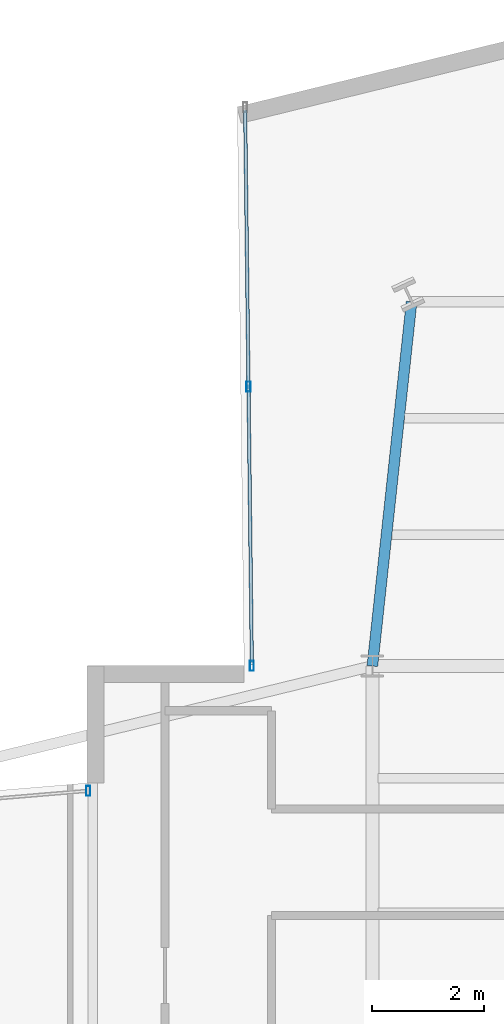
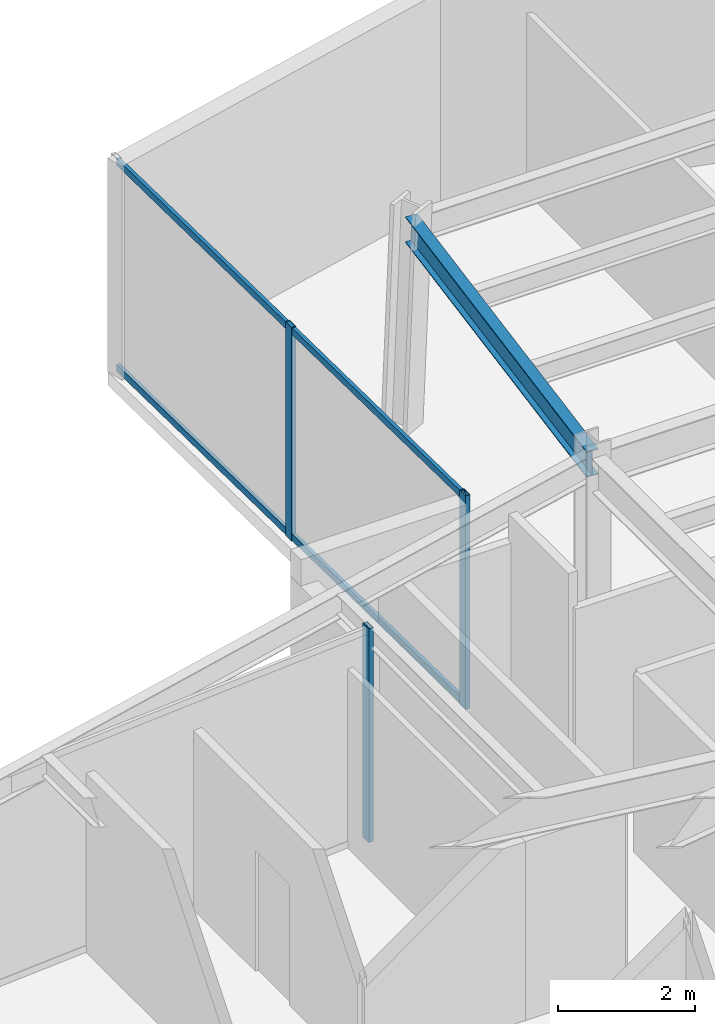
# One storey, part 10 of 25: 5 members, 1 beam, 2 elements without a shape of their own.
"""IFC4 building model written with IfcOpenShell, lengths in metres."""

import ifcopenshell
import ifcopenshell.guid

model = None  # the IFC model being written
_history = None  # IfcOwnerHistory: only IFC2X3 demands one
_inside = {}  # id of a spatial element -> (the spatial element, [elements in it])
_under = {}  # id of a project, library or spatial element -> (it, [spatial elements below it])
_declared = {}  # id of a project -> (the project, [libraries it declares])
_typed = {}  # id of a type object -> (the type object, [elements of that type])
_made_of = {}  # id of a material, layer set ... -> (it, [elements and type objects made of it])


def new_model(schema):
    """Start an empty IFC model of exactly this schema.

    Asked for "IFC4X3", IfcOpenShell would pick the latest addendum, in which some entities
    have other attributes; the version numbers below select the first issue.
    IFC2X3 requires an IfcOwnerHistory on every rooted entity: one is made here for all.
    """
    global model, _history
    if schema == "IFC4X3":
        model = ifcopenshell.file(schema_version=(4, 3, 0, 0))
    else:
        model = ifcopenshell.file(schema=schema)
    _inside.clear()
    _under.clear()
    _declared.clear()
    _typed.clear()
    _made_of.clear()
    _history = None
    if model.schema == "IFC2X3":
        org = make("IfcOrganization", Name="unknown")
        user = make(
            "IfcPersonAndOrganization",
            ThePerson=make("IfcPerson", FamilyName="unknown"),
            TheOrganization=org,
        )
        app = make(
            "IfcApplication",
            ApplicationDeveloper=org,
            Version="unknown",
            ApplicationFullName="unknown",
            ApplicationIdentifier="unknown",
        )
        _history = make(
            "IfcOwnerHistory",
            OwningUser=user,
            OwningApplication=app,
            ChangeAction="ADDED",
            CreationDate=0,
        )
    return model


def make(cls, **values):
    """One entity of the class cls with the attributes given. An attribute that is None is left unset."""
    return model.create_entity(
        cls, **{name: value for name, value in values.items() if value is not None}
    )


def rooted(cls, **values):
    """An entity with a GlobalId (a new one), such as an element, a storey or a relation."""
    return make(cls, GlobalId=ifcopenshell.guid.new(), OwnerHistory=_history, **values)


def si_unit(unit_type, name, prefix=None):
    """IfcSIUnit, for example si_unit("LENGTHUNIT", "METRE", prefix="MILLI")."""
    return make("IfcSIUnit", UnitType=unit_type, Prefix=prefix, Name=name)


def assignment(units):
    """IfcUnitAssignment: the units of a project."""
    return None if units is None else make("IfcUnitAssignment", Units=units)


def point(xyz):
    """IfcCartesianPoint."""
    return None if xyz is None else make("IfcCartesianPoint", Coordinates=xyz)


def direction(xyz):
    """IfcDirection."""
    return None if xyz is None else make("IfcDirection", DirectionRatios=xyz)


def frame(location, z_axis=None, x_axis=None):
    """IfcAxis2Placement3D, a coordinate frame: its origin and axes. An axis left out is left unset."""
    return make(
        "IfcAxis2Placement3D",
        Location=point(location),
        Axis=direction(z_axis),
        RefDirection=direction(x_axis),
    )


def frame_2d(location, x_axis=None):
    """IfcAxis2Placement2D, a coordinate frame in the plane: its origin and x axis."""
    return make(
        "IfcAxis2Placement2D", Location=point(location), RefDirection=direction(x_axis)
    )


def origin():
    """The frame at (0, 0, 0) with its axes left unset."""
    return frame((0.0, 0.0, 0.0))


def origin_2d():
    """The frame at (0, 0) in the plane with its x axis left unset."""
    return frame_2d((0.0, 0.0))


def place(relative_to, where):
    """IfcLocalPlacement: puts the frame where relative to a parent placement (None: the world)."""
    return make(
        "IfcLocalPlacement", PlacementRelTo=relative_to, RelativePlacement=where
    )


def context(
    kind, dimensions, precision=None, world=None, true_north=None, identifier=None
):
    """IfcGeometricRepresentationContext, for example the 3D "Model" context."""
    return make(
        "IfcGeometricRepresentationContext",
        ContextIdentifier=identifier,
        ContextType=kind,
        CoordinateSpaceDimension=dimensions,
        Precision=precision,
        WorldCoordinateSystem=world,
        TrueNorth=true_north,
    )


def subcontext(parent, identifier, kind, view, scale=None):
    """IfcGeometricRepresentationSubContext, for example "Body" below "Model"."""
    return make(
        "IfcGeometricRepresentationSubContext",
        ContextIdentifier=identifier,
        ContextType=kind,
        ParentContext=parent,
        TargetScale=scale,
        TargetView=view,
    )


def project(units=None, contexts=None):
    """IfcProject with its units and contexts."""
    return rooted(
        "IfcProject",
        Name="project",
        RepresentationContexts=contexts,
        UnitsInContext=assignment(units),
    )


def spatial(cls, under=None, at=None, **own):
    """A site, building, storey or space (cls), placed at a placement, below another one or the project."""
    s = rooted(cls, ObjectPlacement=at, **own)
    if under is not None:
        _under.setdefault(under.id(), (under, []))[1].append(s)
    return s


def profile(cls, at=None, kind="AREA", **sizes):
    """A parametric profile (cls). Its sizes go by their IFC names, for example OverallWidth=200.0."""
    return make(cls, ProfileType=kind, Position=at, **sizes)


def hollow_rectangle(**sizes):
    """IfcRectangleHollowProfileDef."""
    return profile("IfcRectangleHollowProfileDef", **sizes)


def i_section(**sizes):
    """IfcIShapeProfileDef."""
    return profile("IfcIShapeProfileDef", **sizes)


def extrude(swept, where, along, depth):
    """IfcExtrudedAreaSolid: the profile swept, set in the frame where, extruded along a direction by depth."""
    return make(
        "IfcExtrudedAreaSolid",
        SweptArea=swept,
        Position=where,
        ExtrudedDirection=direction(along),
        Depth=depth,
    )


def shape(context_of_items, identifier, shape_type, items):
    """IfcShapeRepresentation: the items that make up one representation, for example the "Body"."""
    return make(
        "IfcShapeRepresentation",
        ContextOfItems=context_of_items,
        RepresentationIdentifier=identifier,
        RepresentationType=shape_type,
        Items=items,
    )


def material(Name=None, Category=None):
    """IfcMaterial."""
    return make("IfcMaterial", Name=Name, Category=Category)


def layer(
    of_material, thickness, ventilated=None, Name=None, Category=None, Priority=None
):
    """IfcMaterialLayer: one layer of a wall or slab, of a material (None: an air gap)."""
    return make(
        "IfcMaterialLayer",
        Material=of_material,
        LayerThickness=thickness,
        IsVentilated=ventilated,
        Name=Name,
        Category=Category,
        Priority=Priority,
    )


def layer_set(layers, Name=None):
    """IfcMaterialLayerSet."""
    return make("IfcMaterialLayerSet", MaterialLayers=layers, LayerSetName=Name)


def material_profile(
    of_material, cross_section, Name=None, Category=None, Priority=None
):
    """IfcMaterialProfile: a cross section and its material."""
    return make(
        "IfcMaterialProfile",
        Name=Name,
        Material=of_material,
        Profile=cross_section,
        Priority=Priority,
        Category=Category,
    )


def profile_set(profiles, Name=None, composite=None):
    """IfcMaterialProfileSet."""
    return make(
        "IfcMaterialProfileSet",
        Name=Name,
        MaterialProfiles=profiles,
        CompositeProfile=composite,
    )


def made_of(thing, what):
    """Note that an element or type object is made of a material, layer set ...; save() writes the relation."""
    if what is not None:
        _made_of.setdefault(what.id(), (what, []))[1].append(thing)
    return thing


def type_object(cls, material=None, **own):
    """A type object (cls), such as IfcWallType, which elements share."""
    return made_of(rooted(cls, **own), material)


def element(
    cls,
    number,
    at=None,
    inside=None,
    cuts=None,
    type_object=None,
    material=None,
    context=None,
    identifier="Body",
    shape_type=None,
    held_by="IfcProductDefinitionShape",
    body=None,
    shapes=None,
    **own,
):
    """One element of the class cls, such as IfcWall. Its Tag is "e" and its number.

    at: its placement. inside: the storey or other place that contains it. cuts: it is an
    opening in that element (IfcRelVoidsElement). A single representation is given by context,
    identifier, shape_type and body (its items); several are given by shapes. held_by: the class
    of the entity that holds the representations. save() writes the other relations.
    """
    e = rooted(cls, Tag="e%d" % number, ObjectPlacement=at, **own)
    if body is not None:
        shapes = [shape(context, identifier, shape_type, body)]
    if shapes is not None:
        e.Representation = make(held_by, Representations=shapes)
    if inside is not None:
        _inside.setdefault(inside.id(), (inside, []))[1].append(e)
    if cuts is not None:
        rooted(
            "IfcRelVoidsElement", RelatingBuildingElement=cuts, RelatedOpeningElement=e
        )
    if type_object is not None:
        _typed.setdefault(type_object.id(), (type_object, []))[1].append(e)
    return made_of(e, material)


def aggregate(whole, parts):
    """IfcRelAggregates: a whole, such as a stair, and the parts it consists of."""
    return rooted("IfcRelAggregates", RelatingObject=whole, RelatedObjects=parts)


def save(model, path):
    """Write the relations noted so far, then the file.

    IfcRelAggregates (storeys below a building ...), IfcRelContainedInSpatialStructure (elements
    in a storey), IfcRelDefinesByType, IfcRelAssociatesMaterial and IfcRelDeclares: one each for
    every whole, place, type object, material and project.
    """
    for whole, parts in _under.values():
        aggregate(whole, parts)
    for where, things in _inside.values():
        rooted(
            "IfcRelContainedInSpatialStructure",
            RelatedElements=things,
            RelatingStructure=where,
        )
    for kind, things in _typed.values():
        rooted("IfcRelDefinesByType", RelatedObjects=things, RelatingType=kind)
    for what, things in _made_of.values():
        rooted("IfcRelAssociatesMaterial", RelatedObjects=things, RelatingMaterial=what)
    for by, libraries in _declared.values():
        rooted("IfcRelDeclares", RelatingContext=by, RelatedDefinitions=libraries)
    model.write(path)


model = new_model("IFC4")

# Units and contexts
model_context = context("Model", 3, precision=1e-05, world=origin(), true_north=direction((0.0, 1.0)))
body_context = subcontext(model_context, "Body", "Model", "MODEL_VIEW")
ifc_project = project(units=[si_unit("LENGTHUNIT", "METRE"), si_unit("AREAUNIT", "SQUARE_METRE"), si_unit("VOLUMEUNIT", "CUBIC_METRE"), si_unit("PLANEANGLEUNIT", "RADIAN"), si_unit("MASSUNIT", "GRAM", prefix="KILO")], contexts=[model_context])

# Site, building, storey
site_placement = place(None, origin())
site = spatial("IfcSite", under=ifc_project, at=site_placement, CompositionType="ELEMENT")
building_placement = place(site_placement, origin())
building = spatial("IfcBuilding", under=site, at=building_placement, Name="Veymaron Broadcast Tower", CompositionType="ELEMENT")
storey_placement = place(building_placement, frame((0.0, 0.0, 137.10009765625)))
storey = spatial("IfcBuildingStorey", under=building, at=storey_placement, Name="L31", CompositionType="ELEMENT", Elevation=137.10009765625)

# Beam
ifc_material_1 = material(Name="Structural steel ASTM A992 Gr 50", Category="steel")
ifc_material_profile_1 = material_profile(ifc_material_1, i_section(OverallWidth=0.19091796875, OverallDepth=0.4599609375, WebThickness=0.010009765625, FlangeThickness=0.01611328125, at=origin_2d()), Name="W460X82")
ifc_profile_set_1 = profile_set([ifc_material_profile_1], Name="Structural steel ASTM A992 Gr 50")
beam_type = type_object("IfcBeamType", Name="BM-SP1", PredefinedType="SPANDREL", material=ifc_profile_set_1)
beam_placement = place(storey_placement, frame((31.199951171875, 32.0, 3.579833984375), z_axis=(0.107065816505, 0.994251935344, 0.0), x_axis=(-0.994251935344, 0.107065816505, 0.0)))
element("IfcBeam", 1, at=beam_placement, inside=storey, type_object=beam_type, Name="L31 primary structural floor girder", PredefinedType="SPANDREL", context=body_context, shape_type="SweptSolid", body=[
    extrude(i_section(OverallWidth=0.19091796875, OverallDepth=0.4599609375, WebThickness=0.010009765625, FlangeThickness=0.01611328125, at=origin_2d()), origin(), (0.0, 0.0, 1.0), 6.53759765625),
])

# Curtain wall, members
ifc_material_2 = material(Name="Anodised aluminium AA 6063-T6 and laminated low-E dark glass", Category="aluminium")
ifc_layer = layer(ifc_material_2, 0.179931640625)
ifc_layer_set = layer_set([ifc_layer], Name="Anodised aluminium AA 6063-T6 and laminated low-E dark glass")
curtain_wall_type = type_object("IfcCurtainWallType", Name="CW-SYS-03", PredefinedType="NOTDEFINED", material=ifc_layer_set)
curtain_wall_1_placement = place(storey_placement, origin())
curtain_wall_1 = element("IfcCurtainWall", 2, at=curtain_wall_1_placement, inside=storey, type_object=curtain_wall_type, Name="L31 dark-glass curtain wall CW-L31-E8-1", PredefinedType="NOTDEFINED")
ifc_material_3 = material(Name="Anodised aluminium AA 6063-T6", Category="aluminium")
ifc_material_profile_2 = material_profile(ifc_material_3, hollow_rectangle(XDim=0.074951171875, YDim=0.179931640625, WallThickness=0.0048828125, at=origin_2d()), Name="AL180X75X5")
ifc_profile_set_2 = profile_set([ifc_material_profile_2], Name="Anodised aluminium AA 6063-T6")
member_type_1 = type_object("IfcMemberType", Name="CW-MUL-02", PredefinedType="MULLION", material=ifc_profile_set_2)
member_1_placement = place(storey_placement, frame((28.989990234375, 36.984130859375, 0.0), z_axis=(0.0, 0.0, 1.0), x_axis=(1.0, 0.0, 0.0)))
member_1 = element("IfcMember", 3, at=member_1_placement, type_object=member_type_1, Name="CW-L31-E8-1 mullion 1", PredefinedType="MULLION", context=body_context, shape_type="SweptSolid", body=[
    extrude(hollow_rectangle(XDim=0.074951171875, YDim=0.179931640625, WallThickness=0.0048828125, at=origin_2d()), origin(), (0.0, 0.0, 1.0), 3.809814453125),
])
member_2_placement = place(storey_placement, frame((29.05029296875, 32.001708984375, 0.0), z_axis=(0.0, 0.0, 1.0), x_axis=(1.0, 0.0, 0.0)))
member_2 = element("IfcMember", 4, at=member_2_placement, type_object=member_type_1, Name="CW-L31-E8-1 mullion 2", PredefinedType="MULLION", context=body_context, shape_type="SweptSolid", body=[
    extrude(hollow_rectangle(XDim=0.074951171875, YDim=0.179931640625, WallThickness=0.0048828125, at=origin_2d()), origin(), (0.0, 0.0, 1.0), 3.809814453125),
])

# Curtain wall, member
curtain_wall_2_placement = place(storey_placement, origin())
curtain_wall_2 = element("IfcCurtainWall", 5, at=curtain_wall_2_placement, inside=storey, type_object=curtain_wall_type, Name="L31 dark-glass curtain wall CW-L31-E11-1", PredefinedType="NOTDEFINED")
member_3_placement = place(storey_placement, frame((26.131591796875, 29.774658203125, 0.0), z_axis=(0.0, 0.0, 1.0), x_axis=(1.0, 0.0, 0.0)))
member_3 = element("IfcMember", 6, at=member_3_placement, type_object=member_type_1, Name="CW-L31-E11-1 mullion 0", PredefinedType="MULLION", context=body_context, shape_type="SweptSolid", body=[
    extrude(hollow_rectangle(XDim=0.074951171875, YDim=0.179931640625, WallThickness=0.0048828125, at=origin_2d()), origin(), (0.0, 0.0, 1.0), 3.809814453125),
])
aggregate(curtain_wall_2, [member_3])

# Member
ifc_material_profile_3 = material_profile(ifc_material_3, hollow_rectangle(XDim=0.06005859375, YDim=0.1201171875, WallThickness=0.00390625, at=origin_2d()), Name="AL120X60X4")
ifc_profile_set_3 = profile_set([ifc_material_profile_3], Name="Anodised aluminium AA 6063-T6")
member_type_2 = type_object("IfcMemberType", Name="CW-TRN-02", PredefinedType="USERDEFINED", material=ifc_profile_set_3)
member_4_placement = place(storey_placement, frame((28.9306640625, 41.916748046875, 0.06982421875), z_axis=(0.012076234683, -0.999927079619, 0.0), x_axis=(0.999927079619, 0.012076234683, 0.0)))
member_4 = element("IfcMember", 7, at=member_4_placement, type_object=member_type_2, Name="CW-L31-E8-1 transom B", ObjectType="TRANSOM", PredefinedType="USERDEFINED", context=body_context, shape_type="SweptSolid", body=[
    extrude(hollow_rectangle(XDim=0.06005859375, YDim=0.1201171875, WallThickness=0.00390625, at=origin_2d()), origin(), (0.0, 0.0, 1.0), 9.86572265625),
])

member_5_placement = place(storey_placement, frame((28.9306640625, 41.916748046875, 3.739990234375), z_axis=(0.012076234683, -0.999927079619, 0.0), x_axis=(0.999927079619, 0.012076234683, 0.0)))
member_5 = element("IfcMember", 8, at=member_5_placement, type_object=member_type_2, Name="CW-L31-E8-1 transom T", ObjectType="TRANSOM", PredefinedType="USERDEFINED", context=body_context, shape_type="SweptSolid", body=[
    extrude(hollow_rectangle(XDim=0.06005859375, YDim=0.1201171875, WallThickness=0.00390625, at=origin_2d()), origin(), (0.0, 0.0, 1.0), 9.86572265625),
])

aggregate(curtain_wall_1, [member_1, member_2, member_4, member_5])

save(model, "model.ifc")
